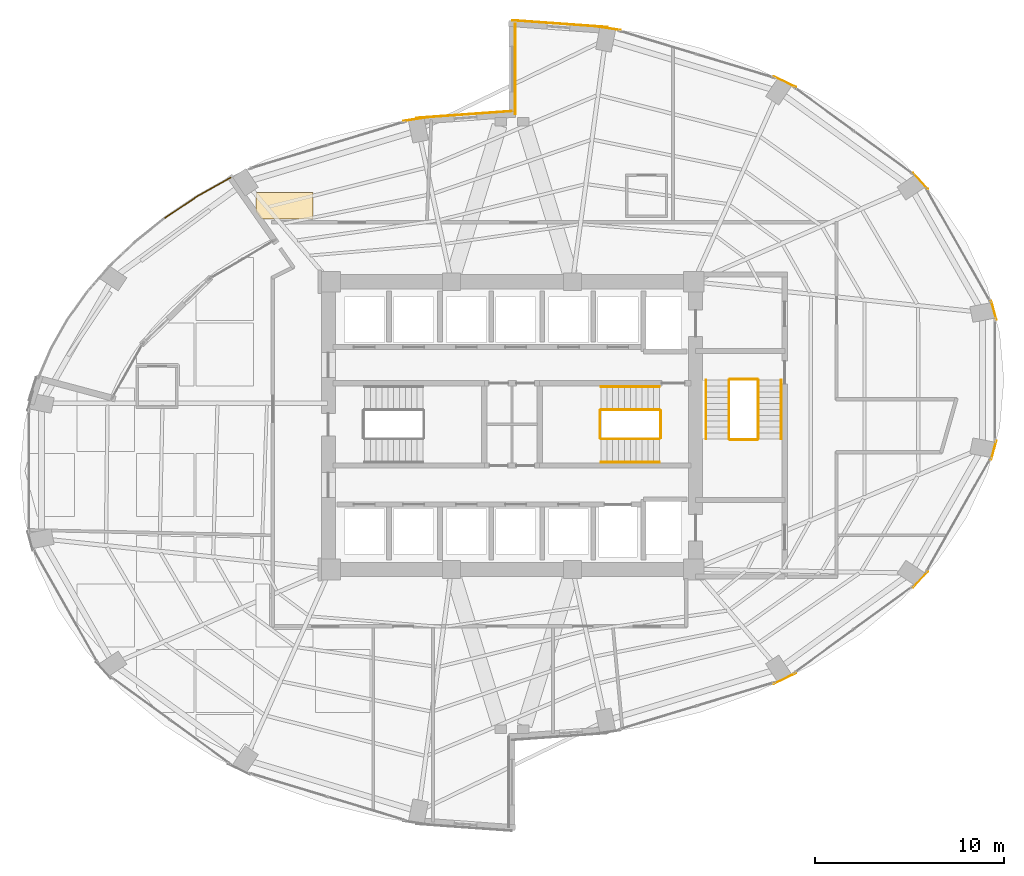
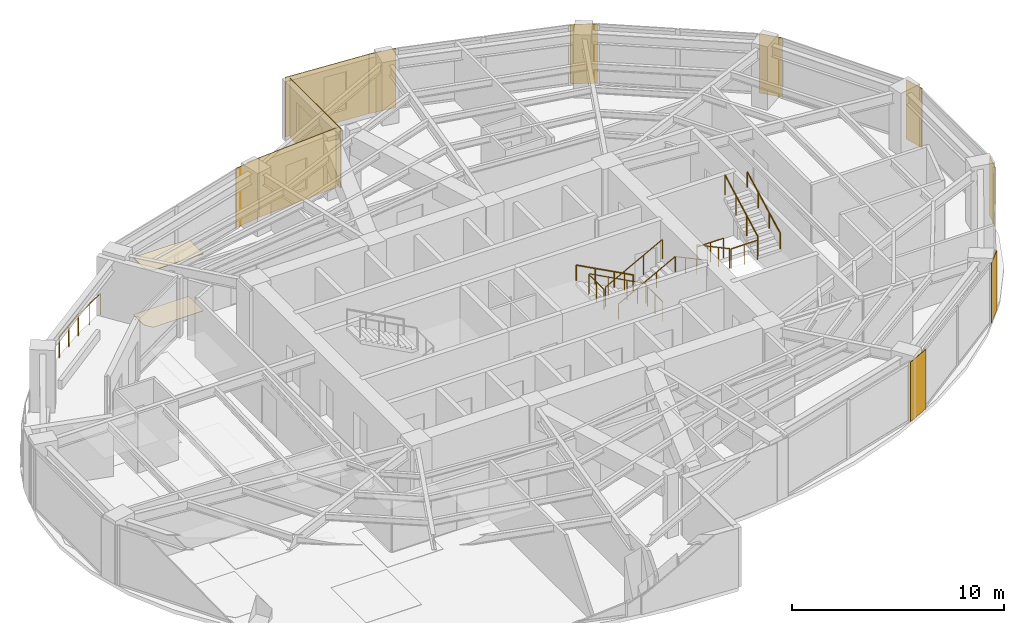
# One storey, part 24 of 24: 14 railings, 13 coverings.
"""IFC4 building model written with IfcOpenShell, lengths in metres."""

from ifc_helpers import new_model, si_unit, direction, frame, origin, origin_2d, place, context, subcontext, project, spatial, polyline, rectangle, circle, outline, extrude, material, layer, layer_set, type_object, element, save


model = new_model("IFC4")

# Units and contexts
model_context = context("Model", 3, precision=1e-05, world=origin(), true_north=direction((0.0, 1.0)))
body_context = subcontext(model_context, "Body", "Model", "MODEL_VIEW")
ifc_project = project(units=[si_unit("LENGTHUNIT", "METRE"), si_unit("AREAUNIT", "SQUARE_METRE"), si_unit("VOLUMEUNIT", "CUBIC_METRE"), si_unit("PLANEANGLEUNIT", "RADIAN"), si_unit("MASSUNIT", "GRAM", prefix="KILO")], contexts=[model_context])

# Site, building, storey
site_placement = place(None, origin())
site = spatial("IfcSite", under=ifc_project, at=site_placement, CompositionType="ELEMENT")
building_placement = place(site_placement, origin())
building = spatial("IfcBuilding", under=site, at=building_placement, Name="Lazwardi Medical Tower", CompositionType="ELEMENT")
storey_placement = place(building_placement, frame((0.0, 0.0, 110.927978515625)))
storey = spatial("IfcBuildingStorey", under=building, at=storey_placement, Name="L28", CompositionType="ELEMENT", Elevation=110.927978515625)

# Coverings
ifc_material_1 = material(Name="Anodised bronze aluminium cassette cladding", Category="aluminium")
ifc_layer_1 = layer(ifc_material_1, 0.030029296875)
ifc_layer_set_1 = layer_set([ifc_layer_1], Name="Anodised bronze aluminium cassette cladding")
covering_type_1 = type_object("IfcCoveringType", Name="COV-CLD-BRZ", PredefinedType="CLADDING", material=ifc_layer_set_1)
covering_1_placement = place(storey_placement, frame((50.421875, 14.634521484375, 0.0), z_axis=(0.0, 0.0, 1.0), x_axis=(0.898679250201, 0.438606435495, 0.0)))
element("IfcCovering", 1, at=covering_1_placement, inside=storey, type_object=covering_type_1, Name="L28 Mega-column bronze cassette cover M02", PredefinedType="CLADDING", context=body_context, shape_type="SweptSolid", body=[
    extrude(rectangle(XDim=1.2998046875, YDim=0.030029296875, at=origin_2d()), origin(), (0.0, 0.0, 1.0), 3.427978515625),
])
covering_2_placement = place(storey_placement, frame((57.583740234375, 19.86572265625, 0.0), z_axis=(0.0, 0.0, 1.0), x_axis=(0.674925949214, 0.737885467453, 0.0)))
element("IfcCovering", 2, at=covering_2_placement, inside=storey, type_object=covering_type_1, Name="L28 Mega-column bronze cassette cover M03", PredefinedType="CLADDING", context=body_context, shape_type="SweptSolid", body=[
    extrude(rectangle(XDim=1.15625, YDim=0.030029296875, at=origin_2d()), origin(), (0.0, 0.0, 1.0), 3.427978515625),
])
for number, where, z_axis, x_axis, name in (
    (3, (61.459716796875, 26.700927734375, 0.0), (0.0, 0.0, 1.0), (0.262696108164, 0.964878621774, 0.0), "L28 Mega-column bronze cassette cover M04"),
    (4, (61.459716796875, 34.09912109375, 0.0), (0.0, 0.0, 1.0), (-0.262696108164, 0.964878621774, 0.0), "L28 Mega-column bronze cassette cover M05"),
):
    element("IfcCovering", number, at=place(storey_placement, frame(where, z_axis=z_axis, x_axis=x_axis)), inside=storey, type_object=covering_type_1, Name=name, PredefinedType="CLADDING", context=body_context, shape_type="SweptSolid", body=[
        extrude(rectangle(XDim=1.04296875, YDim=0.030029296875, at=origin_2d()), origin(), (0.0, 0.0, 1.0), 3.427978515625),
    ])
covering_3_placement = place(storey_placement, frame((57.583740234375, 40.93408203125, 0.0), z_axis=(0.0, 0.0, 1.0), x_axis=(-0.674925949214, 0.737885467453, 0.0)))
element("IfcCovering", 5, at=covering_3_placement, inside=storey, type_object=covering_type_1, Name="L28 Mega-column bronze cassette cover M06", PredefinedType="CLADDING", context=body_context, shape_type="SweptSolid", body=[
    extrude(rectangle(XDim=1.15625, YDim=0.030029296875, at=origin_2d()), origin(), (0.0, 0.0, 1.0), 3.427978515625),
])
covering_4_placement = place(storey_placement, frame((50.421875, 46.16552734375, 0.0), z_axis=(0.0, 0.0, 1.0), x_axis=(-0.898679250201, 0.438606435495, 0.0)))
element("IfcCovering", 6, at=covering_4_placement, inside=storey, type_object=covering_type_1, Name="L28 Mega-column bronze cassette cover M07", PredefinedType="CLADDING", context=body_context, shape_type="SweptSolid", body=[
    extrude(rectangle(XDim=1.2998046875, YDim=0.030029296875, at=origin_2d()), origin(), (0.0, 0.0, 1.0), 3.427978515625),
])
for number, where, z_axis, x_axis, name in (
    (7, (41.064208984375, 48.99658203125, 0.0), (0.0, 0.0, 1.0), (-0.989609019093, 0.143784523955, 0.0), "L28 Mega-column bronze cassette cover M08"),
    (8, (30.935791015625, 44.19677734375, 0.0), (0.0, 0.0, 1.0), (-0.989609019093, -0.143784523955, 0.0), "L28 Mega-column bronze cassette cover M09"),
):
    element("IfcCovering", number, at=place(storey_placement, frame(where, z_axis=z_axis, x_axis=x_axis)), inside=storey, type_object=covering_type_1, Name=name, PredefinedType="CLADDING", context=body_context, shape_type="SweptSolid", body=[
        extrude(rectangle(XDim=1.392333984375, YDim=0.030029296875, at=origin_2d()), origin(), (0.0, 0.0, 1.0), 3.427978515625),
    ])
ifc_material_2 = material(Name="Turquoise glazed ceramic tilework cladding", Category="masonry")
ifc_layer_2 = layer(ifc_material_2, 0.034912109375)
ifc_layer_set_2 = layer_set([ifc_layer_2], Name="Turquoise glazed ceramic tilework cladding")
covering_type_2 = type_object("IfcCoveringType", Name="COV-CLD-TRQ", PredefinedType="CLADDING", material=ifc_layer_set_2)
covering_5_placement = place(storey_placement, frame((38.533203125, 49.23388671875, 0.0), z_axis=(0.0, 0.0, 1.0), x_axis=(-0.997431665415, 0.07162452672, 0.0)))
element("IfcCovering", 9, at=covering_5_placement, inside=storey, type_object=covering_type_2, Name="L28 Turquoise glazed ceramic tilework cladding", PredefinedType="CLADDING", context=body_context, shape_type="SweptSolid", body=[
    extrude(rectangle(XDim=5.05419921875, YDim=0.034912109375, at=origin_2d()), origin(), (0.0, 0.0, 1.0), 3.427978515625),
])
covering_6_placement = place(storey_placement, frame((33.466552734375, 44.43408203125, 0.0), z_axis=(0.0, 0.0, 1.0), x_axis=(-0.997431165357, -0.071631490105, 0.0)))
element("IfcCovering", 10, at=covering_6_placement, inside=storey, type_object=covering_type_2, Name="L28 Turquoise glazed ceramic tilework cladding", PredefinedType="CLADDING", context=body_context, shape_type="SweptSolid", body=[
    extrude(rectangle(XDim=5.0537109375, YDim=0.034912109375, at=origin_2d()), origin(), (0.0, 0.0, 1.0), 3.427978515625),
])
covering_7_placement = place(storey_placement, frame((36.175537109375, 46.840087890625, 0.0), z_axis=(0.0, 0.0, 1.0), x_axis=(0.0, -1.0, 0.0)))
element("IfcCovering", 11, at=covering_7_placement, inside=storey, type_object=covering_type_2, Name="L28 Turquoise glazed ceramic tilework iwan panel", PredefinedType="CLADDING", context=body_context, shape_type="SweptSolid", body=[
    extrude(rectangle(XDim=4.800048828125, YDim=0.034912109375, at=origin_2d()), origin(), (0.0, 0.0, 1.0), 3.427978515625),
])
ifc_material_3 = material(Name="Acoustic mineral fibre tile")
ifc_layer_3 = layer(ifc_material_3, 0.02490234375)
ifc_layer_set_3 = layer_set([ifc_layer_3], Name="Acoustic mineral fibre tile")
covering_type_3 = type_object("IfcCoveringType", Name="COV-CLG-01", PredefinedType="CEILING", material=ifc_layer_set_3)
covering_8_placement = place(storey_placement, frame((0.0, 0.0, 3.282958984375)))
element("IfcCovering", 12, at=covering_8_placement, inside=storey, type_object=covering_type_3, Name="L28 Clinical Acoustic Ceiling 9", PredefinedType="CEILING", context=body_context, shape_type="SweptSolid", body=[
    extrude(outline(polyline([(22.462890625, 39.33837890625), (22.753662109375, 38.92333984375), (22.755859375, 38.923583984375), (22.763671875, 38.92431640625), (22.77294921875, 38.9248046875), (22.777099609375, 38.925048828125), (25.492919921875, 38.925048828125), (25.492919921875, 40.322509765625), (22.462890625, 40.322509765625), (22.462890625, 39.33837890625)])), origin(), (0.0, 0.0, 1.0), 0.025146484375),
])
ifc_material_4 = material(Name="Anti-static hospital vinyl sheet flooring")
ifc_layer_4 = layer(ifc_material_4, 0.014892578125)
ifc_layer_set_4 = layer_set([ifc_layer_4], Name="Anti-static hospital vinyl sheet flooring")
covering_type_4 = type_object("IfcCoveringType", Name="COV-FLR-01", PredefinedType="FLOORING", material=ifc_layer_set_4)
covering_9_placement = place(storey_placement, origin())
element("IfcCovering", 13, at=covering_9_placement, inside=storey, type_object=covering_type_4, Name="L28 Clinical Vinyl Flooring 10", PredefinedType="FLOORING", context=body_context, shape_type="SweptSolid", body=[
    extrude(outline(polyline([(22.462890625, 39.33837890625), (22.753662109375, 38.92333984375), (22.755859375, 38.923583984375), (22.763671875, 38.92431640625), (22.77294921875, 38.9248046875), (22.777099609375, 38.925048828125), (25.492919921875, 38.925048828125), (25.492919921875, 40.322509765625), (22.462890625, 40.322509765625), (22.462890625, 39.33837890625)])), origin(), (0.0, 0.0, 1.0), 0.01513671875),
])

# Railings
ifc_material_5 = material(Name="Stainless steel Grade 316", Category="steel")
railing_type_1 = type_object("IfcRailingType", Name="RLG-GRD-1150", PredefinedType="GUARDRAIL", material=ifc_material_5)
railing_1_placement = place(storey_placement, frame((43.800048828125, 28.830078125, 0.165771484375)))
element("IfcRailing", 14, at=railing_1_placement, inside=storey, type_object=railing_type_1, Name="L28 ST2 stair guard 1", PredefinedType="GUARDRAIL", context=body_context, shape_type="SweptSolid", body=[
    extrude(circle(Radius=0.02392578125, at=origin_2d()), frame((0.0, 0.0, 1.1259765625), z_axis=(-0.881783298633, 0.0, 0.471654761719), x_axis=(0.0, -1.0, 0.0)), (0.0, 0.0, 1.0), 3.515625),
    extrude(circle(Radius=0.02099609375, at=origin_2d()), origin(), (0.0, 0.0, 1.0), 1.099853515625),
    extrude(circle(Radius=0.02099609375, at=origin_2d()), frame((-1.033447265625, 0.0, 0.552734375)), (0.0, 0.0, 1.0), 1.099853515625),
    extrude(circle(Radius=0.02099609375, at=origin_2d()), frame((-2.066650390625, 0.0, 1.10546875)), (0.0, 0.0, 1.0), 1.099853515625),
    extrude(circle(Radius=0.02099609375, at=origin_2d()), frame((-3.10009765625, 0.0, 1.658203125)), (0.0, 0.0, 1.0), 1.099853515625),
])
railing_2_placement = place(storey_placement, frame((40.64990234375, 28.780029296875, 1.823974609375)))
element("IfcRailing", 15, at=railing_2_placement, inside=storey, type_object=railing_type_1, Name="L28 ST2 stair guard 2", PredefinedType="GUARDRAIL", context=body_context, shape_type="SweptSolid", body=[
    extrude(circle(Radius=0.02392578125, at=origin_2d()), frame((0.0, 0.0, 1.1259765625), z_axis=(0.0, -1.0, 0.0), x_axis=(1.0, 0.0, 0.0)), (0.0, 0.0, 1.0), 1.43994140625),
    extrude(circle(Radius=0.02099609375, at=origin_2d()), origin(), (0.0, 0.0, 1.0), 1.099853515625),
    extrude(circle(Radius=0.02099609375, at=origin_2d()), frame((0.0, -0.719970703125, 0.0)), (0.0, 0.0, 1.0), 1.099853515625),
    extrude(circle(Radius=0.02099609375, at=origin_2d()), frame((0.0, -1.43994140625, 0.0)), (0.0, 0.0, 1.0), 1.099853515625),
])
railing_3_placement = place(storey_placement, frame((40.699951171875, 27.2900390625, 1.98974609375)))
element("IfcRailing", 16, at=railing_3_placement, inside=storey, type_object=railing_type_1, Name="L28 ST2 stair guard 3", PredefinedType="GUARDRAIL", context=body_context, shape_type="SweptSolid", body=[
    extrude(circle(Radius=0.02392578125, at=origin_2d()), frame((0.0, 0.0, 1.1259765625), z_axis=(0.881783298633, 0.0, 0.471654761719), x_axis=(0.0, 1.0, 0.0)), (0.0, 0.0, 1.0), 3.515625),
    extrude(circle(Radius=0.02099609375, at=origin_2d()), origin(), (0.0, 0.0, 1.0), 1.099853515625),
    extrude(circle(Radius=0.02099609375, at=origin_2d()), frame((1.033447265625, 0.0, 0.552734375)), (0.0, 0.0, 1.0), 1.099853515625),
    extrude(circle(Radius=0.02099609375, at=origin_2d()), frame((2.066650390625, 0.0, 1.10546875)), (0.0, 0.0, 1.0), 1.099853515625),
    extrude(circle(Radius=0.02099609375, at=origin_2d()), frame((3.10009765625, 0.0, 1.658203125)), (0.0, 0.0, 1.0), 1.099853515625),
])
railing_4_placement = place(storey_placement, frame((43.85009765625, 28.780029296875, 0.0)))
element("IfcRailing", 17, at=railing_4_placement, inside=storey, type_object=railing_type_1, Name="L28 ST2 stair guard 4", PredefinedType="GUARDRAIL", context=body_context, shape_type="SweptSolid", body=[
    extrude(circle(Radius=0.02392578125, at=origin_2d()), frame((0.0, 0.0, 1.1259765625), z_axis=(0.0, -1.0, 0.0), x_axis=(1.0, 0.0, 0.0)), (0.0, 0.0, 1.0), 1.43994140625),
    extrude(circle(Radius=0.02099609375, at=origin_2d()), origin(), (0.0, 0.0, 1.0), 1.099853515625),
    extrude(circle(Radius=0.02099609375, at=origin_2d()), frame((0.0, -0.719970703125, 0.0)), (0.0, 0.0, 1.0), 1.099853515625),
    extrude(circle(Radius=0.02099609375, at=origin_2d()), frame((0.0, -1.43994140625, 0.0)), (0.0, 0.0, 1.0), 1.099853515625),
])
railing_5_placement = place(storey_placement, frame((47.469970703125, 30.39990234375, 0.165771484375)))
element("IfcRailing", 18, at=railing_5_placement, inside=storey, type_object=railing_type_1, Name="L28 ST3 stair guard 1", PredefinedType="GUARDRAIL", context=body_context, shape_type="SweptSolid", body=[
    extrude(circle(Radius=0.02392578125, at=origin_2d()), frame((0.0, 0.0, 1.1259765625), z_axis=(0.0, -0.881767849116, 0.471683644262), x_axis=(1.0, 0.0, 0.0)), (0.0, 0.0, 1.0), 3.515380859375),
    extrude(circle(Radius=0.02099609375, at=origin_2d()), origin(), (0.0, 0.0, 1.0), 1.099853515625),
    extrude(circle(Radius=0.02099609375, at=origin_2d()), frame((0.0, -1.033203125, 0.552734375)), (0.0, 0.0, 1.0), 1.099853515625),
    extrude(circle(Radius=0.02099609375, at=origin_2d()), frame((0.0, -2.066650390625, 1.10546875)), (0.0, 0.0, 1.0), 1.099853515625),
    extrude(circle(Radius=0.02099609375, at=origin_2d()), frame((0.0, -3.099853515625, 1.658203125)), (0.0, 0.0, 1.0), 1.099853515625),
])
railing_6_placement = place(storey_placement, frame((47.52001953125, 27.25, 1.823974609375)))
element("IfcRailing", 19, at=railing_6_placement, inside=storey, type_object=railing_type_1, Name="L28 ST3 stair guard 2", PredefinedType="GUARDRAIL", context=body_context, shape_type="SweptSolid", body=[
    extrude(circle(Radius=0.02392578125, at=origin_2d()), frame((0.0, 0.0, 1.1259765625), z_axis=(1.0, 0.0, 0.0), x_axis=(0.0, 1.0, 0.0)), (0.0, 0.0, 1.0), 1.43994140625),
    extrude(circle(Radius=0.02099609375, at=origin_2d()), origin(), (0.0, 0.0, 1.0), 1.099853515625),
    extrude(circle(Radius=0.02099609375, at=origin_2d()), frame((0.719970703125, 0.0, 0.0)), (0.0, 0.0, 1.0), 1.099853515625),
    extrude(circle(Radius=0.02099609375, at=origin_2d()), frame((1.43994140625, 0.0, 0.0)), (0.0, 0.0, 1.0), 1.099853515625),
])
railing_7_placement = place(storey_placement, frame((49.010009765625, 27.300048828125, 1.98974609375)))
element("IfcRailing", 20, at=railing_7_placement, inside=storey, type_object=railing_type_1, Name="L28 ST3 stair guard 3", PredefinedType="GUARDRAIL", context=body_context, shape_type="SweptSolid", body=[
    extrude(circle(Radius=0.02392578125, at=origin_2d()), frame((0.0, 0.0, 1.1259765625), z_axis=(0.0, 0.881767849116, 0.471683644262), x_axis=(-1.0, 0.0, 0.0)), (0.0, 0.0, 1.0), 3.515380859375),
    extrude(circle(Radius=0.02099609375, at=origin_2d()), origin(), (0.0, 0.0, 1.0), 1.099853515625),
    extrude(circle(Radius=0.02099609375, at=origin_2d()), frame((0.0, 1.033203125, 0.552734375)), (0.0, 0.0, 1.0), 1.099853515625),
    extrude(circle(Radius=0.02099609375, at=origin_2d()), frame((0.0, 2.066650390625, 1.10546875)), (0.0, 0.0, 1.0), 1.099853515625),
    extrude(circle(Radius=0.02099609375, at=origin_2d()), frame((0.0, 3.099853515625, 1.658203125)), (0.0, 0.0, 1.0), 1.099853515625),
])
railing_8_placement = place(storey_placement, frame((47.52001953125, 30.449951171875, 0.0)))
element("IfcRailing", 21, at=railing_8_placement, inside=storey, type_object=railing_type_1, Name="L28 ST3 stair guard 4", PredefinedType="GUARDRAIL", context=body_context, shape_type="SweptSolid", body=[
    extrude(circle(Radius=0.02392578125, at=origin_2d()), frame((0.0, 0.0, 1.1259765625), z_axis=(1.0, 0.0, 0.0), x_axis=(0.0, 1.0, 0.0)), (0.0, 0.0, 1.0), 1.43994140625),
    extrude(circle(Radius=0.02099609375, at=origin_2d()), origin(), (0.0, 0.0, 1.0), 1.099853515625),
    extrude(circle(Radius=0.02099609375, at=origin_2d()), frame((0.719970703125, 0.0, 0.0)), (0.0, 0.0, 1.0), 1.099853515625),
    extrude(circle(Radius=0.02099609375, at=origin_2d()), frame((1.43994140625, 0.0, 0.0)), (0.0, 0.0, 1.0), 1.099853515625),
])
railing_type_2 = type_object("IfcRailingType", Name="RLG-HND-920", PredefinedType="HANDRAIL", material=ifc_material_5)
railing_9_placement = place(storey_placement, frame((43.800048828125, 30.050048828125, 0.165771484375)))
element("IfcRailing", 22, at=railing_9_placement, inside=storey, type_object=railing_type_2, Name="L28 ST2 stair handrail 1", PredefinedType="HANDRAIL", context=body_context, shape_type="SweptSolid", body=[
    extrude(circle(Radius=0.02392578125, at=origin_2d()), frame((0.0, 0.0, 0.8857421875), z_axis=(-0.881783298633, 0.0, 0.471654761719), x_axis=(0.0, -1.0, 0.0)), (0.0, 0.0, 1.0), 3.515625),
    extrude(circle(Radius=0.02099609375, at=origin_2d()), origin(), (0.0, 0.0, 1.0), 0.85986328125),
    extrude(circle(Radius=0.02099609375, at=origin_2d()), frame((-1.033447265625, 0.0, 0.552734375)), (0.0, 0.0, 1.0), 0.85986328125),
    extrude(circle(Radius=0.02099609375, at=origin_2d()), frame((-2.066650390625, 0.0, 1.10546875)), (0.0, 0.0, 1.0), 0.85986328125),
    extrude(circle(Radius=0.02099609375, at=origin_2d()), frame((-3.10009765625, 0.0, 1.658203125)), (0.0, 0.0, 1.0), 0.85986328125),
])
railing_10_placement = place(storey_placement, frame((40.699951171875, 26.070068359375, 1.98974609375)))
element("IfcRailing", 23, at=railing_10_placement, inside=storey, type_object=railing_type_2, Name="L28 ST2 stair handrail 2", PredefinedType="HANDRAIL", context=body_context, shape_type="SweptSolid", body=[
    extrude(circle(Radius=0.02392578125, at=origin_2d()), frame((0.0, 0.0, 0.8857421875), z_axis=(0.881783298633, 0.0, 0.471654761719), x_axis=(0.0, 1.0, 0.0)), (0.0, 0.0, 1.0), 3.515625),
    extrude(circle(Radius=0.02099609375, at=origin_2d()), origin(), (0.0, 0.0, 1.0), 0.85986328125),
    extrude(circle(Radius=0.02099609375, at=origin_2d()), frame((1.033447265625, 0.0, 0.552734375)), (0.0, 0.0, 1.0), 0.85986328125),
    extrude(circle(Radius=0.02099609375, at=origin_2d()), frame((2.066650390625, 0.0, 1.10546875)), (0.0, 0.0, 1.0), 0.85986328125),
    extrude(circle(Radius=0.02099609375, at=origin_2d()), frame((3.10009765625, 0.0, 1.658203125)), (0.0, 0.0, 1.0), 0.85986328125),
])
railing_11_placement = place(storey_placement, frame((46.25, 30.39990234375, 0.165771484375)))
element("IfcRailing", 24, at=railing_11_placement, inside=storey, type_object=railing_type_2, Name="L28 ST3 stair handrail 1", PredefinedType="HANDRAIL", context=body_context, shape_type="SweptSolid", body=[
    extrude(circle(Radius=0.02392578125, at=origin_2d()), frame((0.0, 0.0, 0.8857421875), z_axis=(0.0, -0.881767849116, 0.471683644262), x_axis=(1.0, 0.0, 0.0)), (0.0, 0.0, 1.0), 3.515380859375),
    extrude(circle(Radius=0.02099609375, at=origin_2d()), origin(), (0.0, 0.0, 1.0), 0.85986328125),
    extrude(circle(Radius=0.02099609375, at=origin_2d()), frame((0.0, -1.033203125, 0.552734375)), (0.0, 0.0, 1.0), 0.85986328125),
    extrude(circle(Radius=0.02099609375, at=origin_2d()), frame((0.0, -2.066650390625, 1.10546875)), (0.0, 0.0, 1.0), 0.85986328125),
    extrude(circle(Radius=0.02099609375, at=origin_2d()), frame((0.0, -3.099853515625, 1.658203125)), (0.0, 0.0, 1.0), 0.85986328125),
])
railing_12_placement = place(storey_placement, frame((50.22998046875, 27.300048828125, 1.98974609375)))
element("IfcRailing", 25, at=railing_12_placement, inside=storey, type_object=railing_type_2, Name="L28 ST3 stair handrail 2", PredefinedType="HANDRAIL", context=body_context, shape_type="SweptSolid", body=[
    extrude(circle(Radius=0.02392578125, at=origin_2d()), frame((0.0, 0.0, 0.8857421875), z_axis=(0.0, 0.881767849116, 0.471683644262), x_axis=(-1.0, 0.0, 0.0)), (0.0, 0.0, 1.0), 3.515380859375),
    extrude(circle(Radius=0.02099609375, at=origin_2d()), origin(), (0.0, 0.0, 1.0), 0.85986328125),
    extrude(circle(Radius=0.02099609375, at=origin_2d()), frame((0.0, 1.033203125, 0.552734375)), (0.0, 0.0, 1.0), 0.85986328125),
    extrude(circle(Radius=0.02099609375, at=origin_2d()), frame((0.0, 2.066650390625, 1.10546875)), (0.0, 0.0, 1.0), 0.85986328125),
    extrude(circle(Radius=0.02099609375, at=origin_2d()), frame((0.0, 3.099853515625, 1.658203125)), (0.0, 0.0, 1.0), 0.85986328125),
])
ifc_material_6 = material(Name="Anodised bronze aluminium and laminated glass", Category="aluminium")
railing_type_3 = type_object("IfcRailingType", Name="RLG-SKG-1250", PredefinedType="GUARDRAIL", material=ifc_material_6)
railing_13_placement = place(storey_placement, frame((21.1328125, 41.098388671875, 0.0)))
element("IfcRailing", 26, at=railing_13_placement, inside=storey, type_object=railing_type_3, Name="L28 Sky Garden SG2 Perimeter Guard 01", PredefinedType="GUARDRAIL", context=body_context, shape_type="SweptSolid", body=[
    extrude(circle(Radius=0.02392578125, at=origin_2d()), frame((0.0, 0.0, 1.22607421875), z_axis=(-0.872449319096, -0.488704599537, 0.0), x_axis=(0.488704599537, -0.872449319096, 0.0)), (0.0, 0.0, 1.0), 2.05615234375),
    extrude(circle(Radius=0.02099609375, at=origin_2d()), origin(), (0.0, 0.0, 1.0), 1.199951171875),
    extrude(circle(Radius=0.02099609375, at=origin_2d()), frame((-0.89697265625, -0.50244140625, 0.0)), (0.0, 0.0, 1.0), 1.199951171875),
    extrude(circle(Radius=0.02099609375, at=origin_2d()), frame((-1.7939453125, -1.0048828125, 0.0)), (0.0, 0.0, 1.0), 1.199951171875),
])
railing_14_placement = place(storey_placement, frame((19.3388671875, 40.093505859375, 0.0)))
element("IfcRailing", 27, at=railing_14_placement, inside=storey, type_object=railing_type_3, Name="L28 Sky Garden SG2 Perimeter Guard 02", PredefinedType="GUARDRAIL", context=body_context, shape_type="SweptSolid", body=[
    extrude(circle(Radius=0.02392578125, at=origin_2d()), frame((0.0, 0.0, 1.22607421875), z_axis=(-0.831206553239, -0.555963727101, 0.0), x_axis=(0.555963727101, -0.831206553239, 0.0)), (0.0, 0.0, 1.0), 2.005615234375),
    extrude(circle(Radius=0.02099609375, at=origin_2d()), origin(), (0.0, 0.0, 1.0), 1.199951171875),
    extrude(circle(Radius=0.02099609375, at=origin_2d()), frame((-0.83349609375, -0.5576171875, 0.0)), (0.0, 0.0, 1.0), 1.199951171875),
    extrude(circle(Radius=0.02099609375, at=origin_2d()), frame((-1.6669921875, -1.114990234375, 0.0)), (0.0, 0.0, 1.0), 1.199951171875),
])

save(model, "model.ifc")
